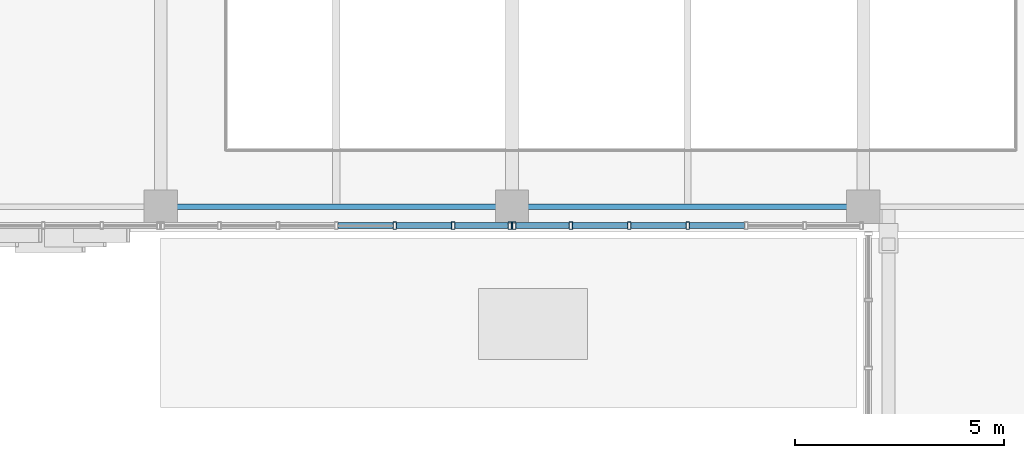
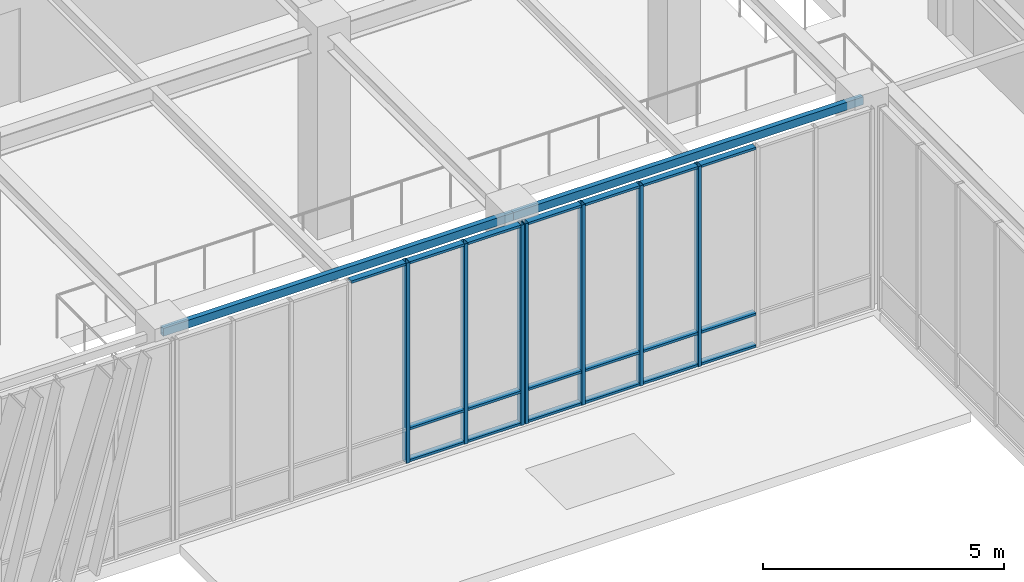
# One storey, part 17 of 139: 26 members, 2 beams, 2 elements without a shape of their own.
"""IFC4 building model written with IfcOpenShell, lengths in metres."""

from ifc_helpers import new_model, si_unit, direction, frame, origin, origin_2d, place, context, subcontext, project, spatial, hollow_rectangle, extrude, material, layer, layer_set, material_profile, profile_set, type_object, element, aggregate, save


model = new_model("IFC4")

# Units and contexts
model_context = context("Model", 3, precision=1e-05, world=origin(), true_north=direction((0.0, 1.0)))
body_context = subcontext(model_context, "Body", "Model", "MODEL_VIEW")
ifc_project = project(units=[si_unit("LENGTHUNIT", "METRE"), si_unit("AREAUNIT", "SQUARE_METRE"), si_unit("VOLUMEUNIT", "CUBIC_METRE"), si_unit("PLANEANGLEUNIT", "RADIAN"), si_unit("MASSUNIT", "GRAM", prefix="KILO")], contexts=[model_context])

# Site, building, storey
site_placement = place(None, origin())
site = spatial("IfcSite", under=ifc_project, at=site_placement, CompositionType="ELEMENT")
building_placement = place(site_placement, origin())
building = spatial("IfcBuilding", under=site, at=building_placement, Name="Zayran Congress Hotel", CompositionType="ELEMENT")
storey_placement = place(building_placement, frame((0.0, 0.0, 5.39990234375)))
storey = spatial("IfcBuildingStorey", under=building, at=storey_placement, Name="L01", CompositionType="ELEMENT", Elevation=5.39990234375)

# Beams
ifc_material_1 = material(Name="Steel S355", Category="steel")
ifc_material_profile_1 = material_profile(ifc_material_1, hollow_rectangle(XDim=0.1201171875, YDim=0.199951171875, WallThickness=0.008056640625, at=origin_2d()), Name="RHS 200x120x8")
ifc_profile_set_1 = profile_set([ifc_material_profile_1], Name="Steel S355")
beam_type = type_object("IfcBeamType", Name="TP-SP-02", PredefinedType="SPANDREL", material=ifc_profile_set_1)
beam_1_placement = place(storey_placement, frame((58.800048828125, 68.199951171875, 4.97998046875), z_axis=(1.0, 0.0, 0.0), x_axis=(0.0, 1.0, 0.0)))
element("IfcBeam", 1, at=beam_1_placement, inside=storey, type_object=beam_type, Name="BM-V1-L01-0519", PredefinedType="SPANDREL", context=body_context, shape_type="SweptSolid", body=[
    extrude(hollow_rectangle(XDim=0.1201171875, YDim=0.199951171875, WallThickness=0.008056640625, at=origin_2d()), origin(), (0.0, 0.0, 1.0), 8.39990234375),
])
beam_2_placement = place(storey_placement, frame((67.199951171875, 68.199951171875, 4.97998046875), z_axis=(1.0, 0.0, 0.0), x_axis=(0.0, 1.0, 0.0)))
element("IfcBeam", 2, at=beam_2_placement, inside=storey, type_object=beam_type, Name="BM-V1-L01-0520", PredefinedType="SPANDREL", context=body_context, shape_type="SweptSolid", body=[
    extrude(hollow_rectangle(XDim=0.1201171875, YDim=0.199951171875, WallThickness=0.008056640625, at=origin_2d()), origin(), (0.0, 0.0, 1.0), 8.400146484375),
])

# Curtain wall, members
ifc_material_2 = material(Name="Anodised aluminium and low-E insulated glass", Category="aluminium")
ifc_layer_1 = layer(ifc_material_2, 0.179931640625)
ifc_layer_set_1 = layer_set([ifc_layer_1], Name="Anodised aluminium and low-E insulated glass")
curtain_wall_type_1 = type_object("IfcCurtainWallType", Name="CW-V1S-L01-CW-11-8380-5080", PredefinedType="USERDEFINED", material=ifc_layer_set_1)
curtain_wall_1_placement = place(storey_placement, origin())
curtain_wall_1 = element("IfcCurtainWall", 3, at=curtain_wall_1_placement, inside=storey, type_object=curtain_wall_type_1, Name="CW-V1S-L01-6", ObjectType="CURTAIN WALL", PredefinedType="USERDEFINED")
ifc_material_3 = material(Name="Anodised aluminium framing", Category="aluminium")
ifc_material_profile_2 = material_profile(ifc_material_3, hollow_rectangle(XDim=0.080078125, YDim=0.179931640625, WallThickness=0.0048828125, at=origin_2d()), Name="RHS 180x80x5")
ifc_profile_set_2 = profile_set([ifc_material_profile_2], Name="Anodised aluminium framing")
member_type_1 = type_object("IfcMemberType", Name="TP-CWM-01", PredefinedType="MULLION", material=ifc_profile_set_2)
member_1_placement = place(storey_placement, frame((64.396728515625, 67.75, 0.0), z_axis=(0.0, 0.0, 1.0), x_axis=(1.0, 0.0, 0.0)))
member_1 = element("IfcMember", 4, at=member_1_placement, type_object=member_type_1, Name="CW-V1S-L01-6-M04", PredefinedType="MULLION", context=body_context, shape_type="SweptSolid", body=[
    extrude(hollow_rectangle(XDim=0.080078125, YDim=0.179931640625, WallThickness=0.0048828125, at=origin_2d()), origin(), (0.0, 0.0, 1.0), 5.080078125),
])
member_2_placement = place(storey_placement, frame((65.793212890625, 67.75, 0.0), z_axis=(0.0, 0.0, 1.0), x_axis=(1.0, 0.0, 0.0)))
member_2 = element("IfcMember", 5, at=member_2_placement, type_object=member_type_1, Name="CW-V1S-L01-6-M05", PredefinedType="MULLION", context=body_context, shape_type="SweptSolid", body=[
    extrude(hollow_rectangle(XDim=0.080078125, YDim=0.179931640625, WallThickness=0.0048828125, at=origin_2d()), origin(), (0.0, 0.0, 1.0), 5.080078125),
])
member_3_placement = place(storey_placement, frame((67.14990234375, 67.75, 0.0), z_axis=(0.0, 0.0, 1.0), x_axis=(1.0, 0.0, 0.0)))
member_3 = element("IfcMember", 6, at=member_3_placement, type_object=member_type_1, Name="CW-V1S-L01-6-M06", PredefinedType="MULLION", context=body_context, shape_type="SweptSolid", body=[
    extrude(hollow_rectangle(XDim=0.080078125, YDim=0.179931640625, WallThickness=0.0048828125, at=origin_2d()), origin(), (0.0, 0.0, 1.0), 5.080078125),
])

ifc_layer_2 = layer(ifc_material_2, 0.179931640625)
ifc_layer_set_2 = layer_set([ifc_layer_2], Name="Anodised aluminium and low-E insulated glass")
curtain_wall_type_2 = type_object("IfcCurtainWallType", Name="CW-V1S-L01-CW-12-8380-5080", PredefinedType="USERDEFINED", material=ifc_layer_set_2)
curtain_wall_2_placement = place(storey_placement, origin())
curtain_wall_2 = element("IfcCurtainWall", 7, at=curtain_wall_2_placement, inside=storey, type_object=curtain_wall_type_2, Name="CW-V1S-L01-7", ObjectType="CURTAIN WALL", PredefinedType="USERDEFINED")
member_4_placement = place(storey_placement, frame((67.25, 67.75, 0.0), z_axis=(0.0, 0.0, 1.0), x_axis=(1.0, 0.0, 0.0)))
member_4 = element("IfcMember", 8, at=member_4_placement, type_object=member_type_1, Name="CW-V1S-L01-7-M00", PredefinedType="MULLION", context=body_context, shape_type="SweptSolid", body=[
    extrude(hollow_rectangle(XDim=0.080078125, YDim=0.179931640625, WallThickness=0.0048828125, at=origin_2d()), origin(), (0.0, 0.0, 1.0), 5.080078125),
])
member_5_placement = place(storey_placement, frame((68.606689453125, 67.75, 0.0), z_axis=(0.0, 0.0, 1.0), x_axis=(1.0, 0.0, 0.0)))
member_5 = element("IfcMember", 9, at=member_5_placement, type_object=member_type_1, Name="CW-V1S-L01-7-M01", PredefinedType="MULLION", context=body_context, shape_type="SweptSolid", body=[
    extrude(hollow_rectangle(XDim=0.080078125, YDim=0.179931640625, WallThickness=0.0048828125, at=origin_2d()), origin(), (0.0, 0.0, 1.0), 5.080078125),
])
member_6_placement = place(storey_placement, frame((70.00341796875, 67.75, 0.0), z_axis=(0.0, 0.0, 1.0), x_axis=(1.0, 0.0, 0.0)))
member_6 = element("IfcMember", 10, at=member_6_placement, type_object=member_type_1, Name="CW-V1S-L01-7-M02", PredefinedType="MULLION", context=body_context, shape_type="SweptSolid", body=[
    extrude(hollow_rectangle(XDim=0.080078125, YDim=0.179931640625, WallThickness=0.0048828125, at=origin_2d()), origin(), (0.0, 0.0, 1.0), 5.080078125),
])
member_7_placement = place(storey_placement, frame((71.39990234375, 67.75, 0.0), z_axis=(0.0, 0.0, 1.0), x_axis=(1.0, 0.0, 0.0)))
member_7 = element("IfcMember", 11, at=member_7_placement, type_object=member_type_1, Name="CW-V1S-L01-7-M03", PredefinedType="MULLION", context=body_context, shape_type="SweptSolid", body=[
    extrude(hollow_rectangle(XDim=0.080078125, YDim=0.179931640625, WallThickness=0.0048828125, at=origin_2d()), origin(), (0.0, 0.0, 1.0), 5.080078125),
])

# Member
ifc_material_profile_3 = material_profile(ifc_material_3, hollow_rectangle(XDim=0.06005859375, YDim=0.14990234375, WallThickness=0.00390625, at=origin_2d()), Name="RHS 150x60x4")
ifc_profile_set_3 = profile_set([ifc_material_profile_3], Name="Anodised aluminium framing")
member_type_2 = type_object("IfcMemberType", Name="TP-CWT-01", PredefinedType="USERDEFINED", material=ifc_profile_set_3)
member_8_placement = place(storey_placement, frame((63.0400390625, 67.75, 5.050048828125), z_axis=(1.0, 0.0, 0.0), x_axis=(0.0, 0.0, 1.0)))
member_8 = element("IfcMember", 12, at=member_8_placement, type_object=member_type_2, Name="CW-V1S-L01-6-T03-2", ObjectType="TRANSOM", PredefinedType="USERDEFINED", context=body_context, shape_type="SweptSolid", body=[
    extrude(hollow_rectangle(XDim=0.06005859375, YDim=0.14990234375, WallThickness=0.00390625, at=origin_2d()), origin(), (0.0, 0.0, 1.0), 1.316650390625),
])

member_9_placement = place(storey_placement, frame((64.436767578125, 67.75, 0.030029296875), z_axis=(1.0, 0.0, 0.0), x_axis=(0.0, 0.0, 1.0)))
member_9 = element("IfcMember", 13, at=member_9_placement, type_object=member_type_2, Name="CW-V1S-L01-6-T04-0", ObjectType="TRANSOM", PredefinedType="USERDEFINED", context=body_context, shape_type="SweptSolid", body=[
    extrude(hollow_rectangle(XDim=0.06005859375, YDim=0.14990234375, WallThickness=0.00390625, at=origin_2d()), origin(), (0.0, 0.0, 1.0), 1.316650390625),
])

member_10_placement = place(storey_placement, frame((64.436767578125, 67.75, 0.840087890625), z_axis=(1.0, 0.0, 0.0), x_axis=(0.0, 0.0, 1.0)))
member_10 = element("IfcMember", 14, at=member_10_placement, type_object=member_type_2, Name="CW-V1S-L01-6-T04-1", ObjectType="TRANSOM", PredefinedType="USERDEFINED", context=body_context, shape_type="SweptSolid", body=[
    extrude(hollow_rectangle(XDim=0.06005859375, YDim=0.14990234375, WallThickness=0.00390625, at=origin_2d()), origin(), (0.0, 0.0, 1.0), 1.316650390625),
])

member_11_placement = place(storey_placement, frame((64.436767578125, 67.75, 5.050048828125), z_axis=(1.0, 0.0, 0.0), x_axis=(0.0, 0.0, 1.0)))
member_11 = element("IfcMember", 15, at=member_11_placement, type_object=member_type_2, Name="CW-V1S-L01-6-T04-2", ObjectType="TRANSOM", PredefinedType="USERDEFINED", context=body_context, shape_type="SweptSolid", body=[
    extrude(hollow_rectangle(XDim=0.06005859375, YDim=0.14990234375, WallThickness=0.00390625, at=origin_2d()), origin(), (0.0, 0.0, 1.0), 1.316650390625),
])

member_12_placement = place(storey_placement, frame((65.833251953125, 67.75, 0.030029296875), z_axis=(1.0, 0.0, 0.0), x_axis=(0.0, 0.0, 1.0)))
member_12 = element("IfcMember", 16, at=member_12_placement, type_object=member_type_2, Name="CW-V1S-L01-6-T05-0", ObjectType="TRANSOM", PredefinedType="USERDEFINED", context=body_context, shape_type="SweptSolid", body=[
    extrude(hollow_rectangle(XDim=0.06005859375, YDim=0.14990234375, WallThickness=0.00390625, at=origin_2d()), origin(), (0.0, 0.0, 1.0), 1.27685546875),
])

member_13_placement = place(storey_placement, frame((65.833251953125, 67.75, 0.840087890625), z_axis=(1.0, 0.0, 0.0), x_axis=(0.0, 0.0, 1.0)))
member_13 = element("IfcMember", 17, at=member_13_placement, type_object=member_type_2, Name="CW-V1S-L01-6-T05-1", ObjectType="TRANSOM", PredefinedType="USERDEFINED", context=body_context, shape_type="SweptSolid", body=[
    extrude(hollow_rectangle(XDim=0.06005859375, YDim=0.14990234375, WallThickness=0.00390625, at=origin_2d()), origin(), (0.0, 0.0, 1.0), 1.27685546875),
])

member_14_placement = place(storey_placement, frame((65.833251953125, 67.75, 5.050048828125), z_axis=(1.0, 0.0, 0.0), x_axis=(0.0, 0.0, 1.0)))
member_14 = element("IfcMember", 18, at=member_14_placement, type_object=member_type_2, Name="CW-V1S-L01-6-T05-2", ObjectType="TRANSOM", PredefinedType="USERDEFINED", context=body_context, shape_type="SweptSolid", body=[
    extrude(hollow_rectangle(XDim=0.06005859375, YDim=0.14990234375, WallThickness=0.00390625, at=origin_2d()), origin(), (0.0, 0.0, 1.0), 1.27685546875),
])

aggregate(curtain_wall_1, [member_1, member_2, member_3, member_8, member_9, member_10, member_11, member_12, member_13, member_14])

member_15_placement = place(storey_placement, frame((67.2900390625, 67.75, 0.030029296875), z_axis=(1.0, 0.0, 0.0), x_axis=(0.0, 0.0, 1.0)))
member_15 = element("IfcMember", 19, at=member_15_placement, type_object=member_type_2, Name="CW-V1S-L01-7-T00-0", ObjectType="TRANSOM", PredefinedType="USERDEFINED", context=body_context, shape_type="SweptSolid", body=[
    extrude(hollow_rectangle(XDim=0.06005859375, YDim=0.14990234375, WallThickness=0.00390625, at=origin_2d()), origin(), (0.0, 0.0, 1.0), 1.276611328125),
])

member_16_placement = place(storey_placement, frame((67.2900390625, 67.75, 0.840087890625), z_axis=(1.0, 0.0, 0.0), x_axis=(0.0, 0.0, 1.0)))
member_16 = element("IfcMember", 20, at=member_16_placement, type_object=member_type_2, Name="CW-V1S-L01-7-T00-1", ObjectType="TRANSOM", PredefinedType="USERDEFINED", context=body_context, shape_type="SweptSolid", body=[
    extrude(hollow_rectangle(XDim=0.06005859375, YDim=0.14990234375, WallThickness=0.00390625, at=origin_2d()), origin(), (0.0, 0.0, 1.0), 1.276611328125),
])

member_17_placement = place(storey_placement, frame((67.2900390625, 67.75, 5.050048828125), z_axis=(1.0, 0.0, 0.0), x_axis=(0.0, 0.0, 1.0)))
member_17 = element("IfcMember", 21, at=member_17_placement, type_object=member_type_2, Name="CW-V1S-L01-7-T00-2", ObjectType="TRANSOM", PredefinedType="USERDEFINED", context=body_context, shape_type="SweptSolid", body=[
    extrude(hollow_rectangle(XDim=0.06005859375, YDim=0.14990234375, WallThickness=0.00390625, at=origin_2d()), origin(), (0.0, 0.0, 1.0), 1.276611328125),
])

member_18_placement = place(storey_placement, frame((68.646728515625, 67.75, 0.030029296875), z_axis=(1.0, 0.0, 0.0), x_axis=(0.0, 0.0, 1.0)))
member_18 = element("IfcMember", 22, at=member_18_placement, type_object=member_type_2, Name="CW-V1S-L01-7-T01-0", ObjectType="TRANSOM", PredefinedType="USERDEFINED", context=body_context, shape_type="SweptSolid", body=[
    extrude(hollow_rectangle(XDim=0.06005859375, YDim=0.14990234375, WallThickness=0.00390625, at=origin_2d()), origin(), (0.0, 0.0, 1.0), 1.316650390625),
])

member_19_placement = place(storey_placement, frame((68.646728515625, 67.75, 0.840087890625), z_axis=(1.0, 0.0, 0.0), x_axis=(0.0, 0.0, 1.0)))
member_19 = element("IfcMember", 23, at=member_19_placement, type_object=member_type_2, Name="CW-V1S-L01-7-T01-1", ObjectType="TRANSOM", PredefinedType="USERDEFINED", context=body_context, shape_type="SweptSolid", body=[
    extrude(hollow_rectangle(XDim=0.06005859375, YDim=0.14990234375, WallThickness=0.00390625, at=origin_2d()), origin(), (0.0, 0.0, 1.0), 1.316650390625),
])

member_20_placement = place(storey_placement, frame((68.646728515625, 67.75, 5.050048828125), z_axis=(1.0, 0.0, 0.0), x_axis=(0.0, 0.0, 1.0)))
member_20 = element("IfcMember", 24, at=member_20_placement, type_object=member_type_2, Name="CW-V1S-L01-7-T01-2", ObjectType="TRANSOM", PredefinedType="USERDEFINED", context=body_context, shape_type="SweptSolid", body=[
    extrude(hollow_rectangle(XDim=0.06005859375, YDim=0.14990234375, WallThickness=0.00390625, at=origin_2d()), origin(), (0.0, 0.0, 1.0), 1.316650390625),
])

member_21_placement = place(storey_placement, frame((70.043212890625, 67.75, 0.030029296875), z_axis=(1.0, 0.0, 0.0), x_axis=(0.0, 0.0, 1.0)))
member_21 = element("IfcMember", 25, at=member_21_placement, type_object=member_type_2, Name="CW-V1S-L01-7-T02-0", ObjectType="TRANSOM", PredefinedType="USERDEFINED", context=body_context, shape_type="SweptSolid", body=[
    extrude(hollow_rectangle(XDim=0.06005859375, YDim=0.14990234375, WallThickness=0.00390625, at=origin_2d()), origin(), (0.0, 0.0, 1.0), 1.31689453125),
])

member_22_placement = place(storey_placement, frame((70.043212890625, 67.75, 0.840087890625), z_axis=(1.0, 0.0, 0.0), x_axis=(0.0, 0.0, 1.0)))
member_22 = element("IfcMember", 26, at=member_22_placement, type_object=member_type_2, Name="CW-V1S-L01-7-T02-1", ObjectType="TRANSOM", PredefinedType="USERDEFINED", context=body_context, shape_type="SweptSolid", body=[
    extrude(hollow_rectangle(XDim=0.06005859375, YDim=0.14990234375, WallThickness=0.00390625, at=origin_2d()), origin(), (0.0, 0.0, 1.0), 1.31689453125),
])

member_23_placement = place(storey_placement, frame((70.043212890625, 67.75, 5.050048828125), z_axis=(1.0, 0.0, 0.0), x_axis=(0.0, 0.0, 1.0)))
member_23 = element("IfcMember", 27, at=member_23_placement, type_object=member_type_2, Name="CW-V1S-L01-7-T02-2", ObjectType="TRANSOM", PredefinedType="USERDEFINED", context=body_context, shape_type="SweptSolid", body=[
    extrude(hollow_rectangle(XDim=0.06005859375, YDim=0.14990234375, WallThickness=0.00390625, at=origin_2d()), origin(), (0.0, 0.0, 1.0), 1.31689453125),
])

member_24_placement = place(storey_placement, frame((71.43994140625, 67.75, 0.030029296875), z_axis=(1.0, 0.0, 0.0), x_axis=(0.0, 0.0, 1.0)))
member_24 = element("IfcMember", 28, at=member_24_placement, type_object=member_type_2, Name="CW-V1S-L01-7-T03-0", ObjectType="TRANSOM", PredefinedType="USERDEFINED", context=body_context, shape_type="SweptSolid", body=[
    extrude(hollow_rectangle(XDim=0.06005859375, YDim=0.14990234375, WallThickness=0.00390625, at=origin_2d()), origin(), (0.0, 0.0, 1.0), 1.316650390625),
])

member_25_placement = place(storey_placement, frame((71.43994140625, 67.75, 0.840087890625), z_axis=(1.0, 0.0, 0.0), x_axis=(0.0, 0.0, 1.0)))
member_25 = element("IfcMember", 29, at=member_25_placement, type_object=member_type_2, Name="CW-V1S-L01-7-T03-1", ObjectType="TRANSOM", PredefinedType="USERDEFINED", context=body_context, shape_type="SweptSolid", body=[
    extrude(hollow_rectangle(XDim=0.06005859375, YDim=0.14990234375, WallThickness=0.00390625, at=origin_2d()), origin(), (0.0, 0.0, 1.0), 1.316650390625),
])

member_26_placement = place(storey_placement, frame((71.43994140625, 67.75, 5.050048828125), z_axis=(1.0, 0.0, 0.0), x_axis=(0.0, 0.0, 1.0)))
member_26 = element("IfcMember", 30, at=member_26_placement, type_object=member_type_2, Name="CW-V1S-L01-7-T03-2", ObjectType="TRANSOM", PredefinedType="USERDEFINED", context=body_context, shape_type="SweptSolid", body=[
    extrude(hollow_rectangle(XDim=0.06005859375, YDim=0.14990234375, WallThickness=0.00390625, at=origin_2d()), origin(), (0.0, 0.0, 1.0), 1.316650390625),
])

aggregate(curtain_wall_2, [member_4, member_5, member_6, member_7, member_15, member_16, member_17, member_18, member_19, member_20, member_21, member_22, member_23, member_24, member_25, member_26])

save(model, "model.ifc")
